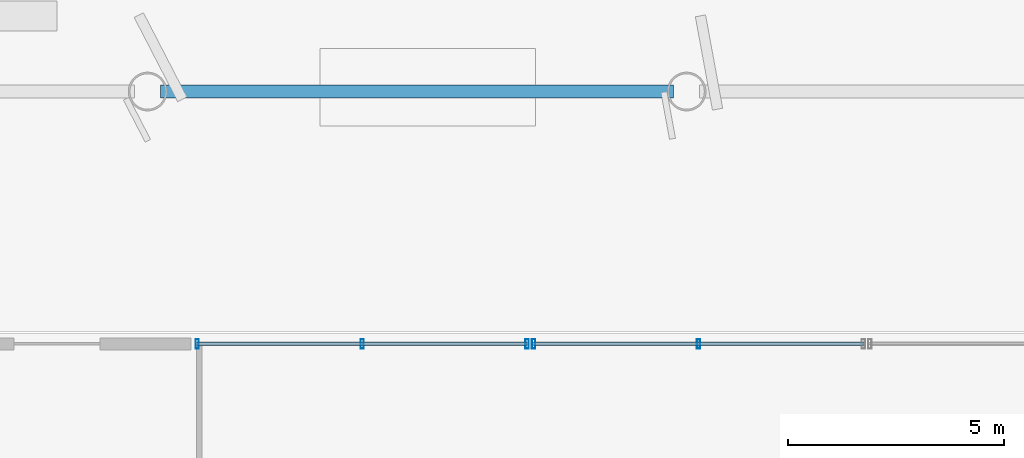
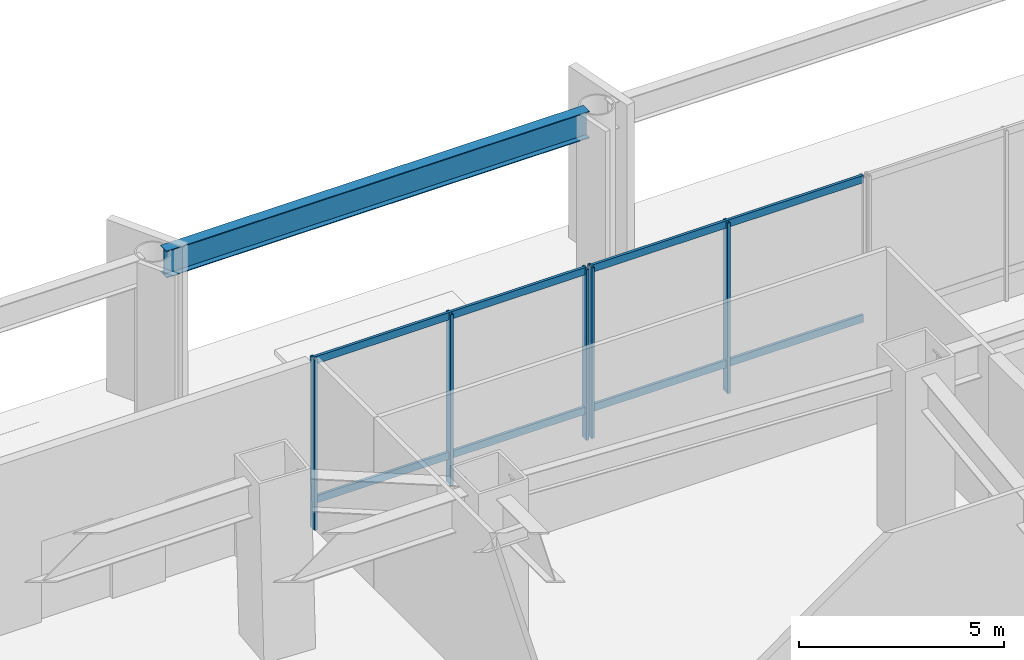
# One storey, part 7 of 19: 9 members, 1 beam, 2 elements without a shape of their own.
"""IFC4 building model written with IfcOpenShell, lengths in metres."""

from ifc_helpers import new_model, si_unit, direction, frame, origin, origin_2d, place, context, subcontext, project, spatial, hollow_rectangle, i_section, extrude, source, transform, mapped, material, material_profile, profile_set, type_object, type_shapes, element, aggregate, save


model = new_model("IFC4")

# Units and contexts
model_context = context("Model", 3, precision=1e-05, world=origin(), true_north=direction((0.0, 1.0)))
body_context = subcontext(model_context, "Body", "Model", "MODEL_VIEW")
ifc_project = project(units=[si_unit("LENGTHUNIT", "METRE"), si_unit("AREAUNIT", "SQUARE_METRE"), si_unit("VOLUMEUNIT", "CUBIC_METRE"), si_unit("PLANEANGLEUNIT", "RADIAN"), si_unit("MASSUNIT", "GRAM", prefix="KILO")], contexts=[model_context])

# Site, building, storey
site_placement = place(None, origin())
site = spatial("IfcSite", under=ifc_project, at=site_placement, CompositionType="ELEMENT")
building_placement = place(site_placement, origin())
building = spatial("IfcBuilding", under=site, at=building_placement, Name="Caelisora Broadcast Tower", CompositionType="ELEMENT")
storey_placement = place(building_placement, origin())
storey = spatial("IfcBuildingStorey", under=building, at=storey_placement, Name="L00", CompositionType="ELEMENT", Elevation=0.0)

# Beam
ifc_material_1 = material(Name="Steel Grade 350 (AS/NZS 3679.2)", Category="steel")
ifc_material_profile_1 = material_profile(ifc_material_1, i_section(OverallWidth=0.300048828125, OverallDepth=0.800048828125, WebThickness=0.013916015625, FlangeThickness=0.02392578125, at=origin_2d()), Name="Steel Grade 350 (AS/NZS 3679.2)")
ifc_profile_set_1 = profile_set([ifc_material_profile_1], Name="Steel Grade 350 (AS/NZS 3679.2)")
beam_type = type_object("IfcBeamType", Name="PG02", PredefinedType="BEAM", material=ifc_profile_set_1)
shared_shape_1 = source(origin(), body_context, "Body", "SweptSolid", [
    extrude(i_section(OverallWidth=0.300048828125, OverallDepth=0.800048828125, WebThickness=0.013916015625, FlangeThickness=0.02392578125, at=origin_2d()), origin(), (0.0, 0.0, 1.0), 11.89990234375),
])
type_shapes(beam_type, [shared_shape_1])
beam_placement = place(storey_placement, frame((50.300048828125, 55.800048828125, 4.679931640625), z_axis=(1.0, 0.0, 0.0), x_axis=(0.0, 1.0, 0.0)))
element("IfcBeam", 1, at=beam_placement, inside=storey, type_object=beam_type, Name="L00 beam PG02", PredefinedType="BEAM", context=body_context, shape_type="MappedRepresentation", body=[
    mapped(shared_shape_1, transform((0.0, 0.0, 0.0), scale=1.0)),
])

# Curtain wall, members
ifc_material_2 = material(Name="Unitised Aluminium and Low-E Glass Curtain Wall", Category="glass")
curtain_wall_type = type_object("IfcCurtainWallType", Name="CW-COL", PredefinedType="NOTDEFINED", material=ifc_material_2)
curtain_wall_1_placement = place(storey_placement, origin())
curtain_wall_1 = element("IfcCurtainWall", 2, at=curtain_wall_1_placement, inside=storey, type_object=curtain_wall_type, Name="L00 curtain wall CW-COL", PredefinedType="NOTDEFINED")
ifc_material_3 = material(Name="Aluminium 6063-T6 Anodised Terracotta Bronze", Category="aluminium")
ifc_material_profile_2 = material_profile(ifc_material_3, hollow_rectangle(XDim=0.074951171875, YDim=0.219970703125, WallThickness=0.00390625, at=origin_2d()), Name="Aluminium 6063-T6 Anodised Terracotta Bronze")
ifc_profile_set_2 = profile_set([ifc_material_profile_2], Name="Aluminium 6063-T6 Anodised Terracotta Bronze")
member_type_1 = type_object("IfcMemberType", Name="CWM-01", PredefinedType="MULLION", material=ifc_profile_set_2)
shared_shape_2 = source(origin(), body_context, "Body", "SweptSolid", [
    extrude(hollow_rectangle(XDim=0.074951171875, YDim=0.219970703125, WallThickness=0.00390625, at=origin_2d()), origin(), (0.0, 0.0, 1.0), 5.080078125),
])
type_shapes(member_type_1, [shared_shape_2])
member_1_placement = place(storey_placement, frame((51.14990234375, 49.949951171875, 0.0), z_axis=(0.0, 0.0, 1.0), x_axis=(1.0, 0.0, 0.0)))
member_1 = element("IfcMember", 3, at=member_1_placement, type_object=member_type_1, Name="L00-CW-COL-4 mullion #0", PredefinedType="MULLION", context=body_context, shape_type="MappedRepresentation", body=[
    mapped(shared_shape_2, transform((0.0, 0.0, 0.0), scale=1.0)),
])
member_2_placement = place(storey_placement, frame((54.97509765625, 49.949951171875, 0.0), z_axis=(0.0, 0.0, 1.0), x_axis=(1.0, 0.0, 0.0)))
member_2 = element("IfcMember", 4, at=member_2_placement, type_object=member_type_1, Name="L00-CW-COL-4 mullion #1", PredefinedType="MULLION", context=body_context, shape_type="MappedRepresentation", body=[
    mapped(shared_shape_2, transform((0.0, 0.0, 0.0), scale=1.0)),
])
member_3_placement = place(storey_placement, frame((58.800048828125, 49.949951171875, 0.0), z_axis=(0.0, 0.0, 1.0), x_axis=(1.0, 0.0, 0.0)))
member_3 = element("IfcMember", 5, at=member_3_placement, type_object=member_type_1, Name="L00-CW-COL-4 mullion #2", PredefinedType="MULLION", context=body_context, shape_type="MappedRepresentation", body=[
    mapped(shared_shape_2, transform((0.0, 0.0, 0.0), scale=1.0)),
])

curtain_wall_2_placement = place(storey_placement, origin())
curtain_wall_2 = element("IfcCurtainWall", 6, at=curtain_wall_2_placement, inside=storey, type_object=curtain_wall_type, Name="L00 curtain wall CW-COL", PredefinedType="NOTDEFINED")
member_4_placement = place(storey_placement, frame((58.949951171875, 49.949951171875, 0.0), z_axis=(0.0, 0.0, 1.0), x_axis=(1.0, 0.0, 0.0)))
member_4 = element("IfcMember", 7, at=member_4_placement, type_object=member_type_1, Name="L00-CW-COL-5 mullion #0", PredefinedType="MULLION", context=body_context, shape_type="MappedRepresentation", body=[
    mapped(shared_shape_2, transform((0.0, 0.0, 0.0), scale=1.0)),
])
member_5_placement = place(storey_placement, frame((62.77490234375, 49.949951171875, 0.0), z_axis=(0.0, 0.0, 1.0), x_axis=(1.0, 0.0, 0.0)))
member_5 = element("IfcMember", 8, at=member_5_placement, type_object=member_type_1, Name="L00-CW-COL-5 mullion #1", PredefinedType="MULLION", context=body_context, shape_type="MappedRepresentation", body=[
    mapped(shared_shape_2, transform((0.0, 0.0, 0.0), scale=1.0)),
])

# Member
ifc_material_profile_3 = material_profile(ifc_material_3, hollow_rectangle(XDim=0.074951171875, YDim=0.219970703125, WallThickness=0.00390625, at=origin_2d()), Name="Aluminium 6063-T6 Anodised Terracotta Bronze")
ifc_profile_set_3 = profile_set([ifc_material_profile_3], Name="Aluminium 6063-T6 Anodised Terracotta Bronze")
member_type_2 = type_object("IfcMemberType", Name="CWT-04", PredefinedType="USERDEFINED", material=ifc_profile_set_3)
shared_shape_3 = source(origin(), body_context, "Body", "SweptSolid", [
    extrude(hollow_rectangle(XDim=0.074951171875, YDim=0.219970703125, WallThickness=0.00390625, at=origin_2d()), origin(), (0.0, 0.0, 1.0), 7.650146484375),
])
type_shapes(member_type_2, [shared_shape_3])
member_6_placement = place(storey_placement, frame((51.14990234375, 49.949951171875, 0.85009765625), z_axis=(1.0, 0.0, 0.0), x_axis=(0.0, 1.0, 0.0)))
member_6 = element("IfcMember", 9, at=member_6_placement, type_object=member_type_2, Name="L00-CW-COL-4 transom #1", ObjectType="TRANSOM", PredefinedType="USERDEFINED", context=body_context, shape_type="MappedRepresentation", body=[
    mapped(shared_shape_3, transform((0.0, 0.0, 0.0), scale=1.0)),
])

member_7_placement = place(storey_placement, frame((51.14990234375, 49.949951171875, 5.0), z_axis=(1.0, 0.0, 0.0), x_axis=(0.0, 1.0, 0.0)))
member_7 = element("IfcMember", 10, at=member_7_placement, type_object=member_type_2, Name="L00-CW-COL-4 transom #2", ObjectType="TRANSOM", PredefinedType="USERDEFINED", context=body_context, shape_type="MappedRepresentation", body=[
    mapped(shared_shape_3, transform((0.0, 0.0, 0.0), scale=1.0)),
])

aggregate(curtain_wall_1, [member_1, member_2, member_3, member_6, member_7])

member_8_placement = place(storey_placement, frame((58.949951171875, 49.949951171875, 0.85009765625), z_axis=(1.0, 0.0, 0.0), x_axis=(0.0, 1.0, 0.0)))
member_8 = element("IfcMember", 11, at=member_8_placement, type_object=member_type_2, Name="L00-CW-COL-5 transom #1", ObjectType="TRANSOM", PredefinedType="USERDEFINED", context=body_context, shape_type="MappedRepresentation", body=[
    mapped(shared_shape_3, transform((0.0, 0.0, 0.0), scale=1.0)),
])

member_9_placement = place(storey_placement, frame((58.949951171875, 49.949951171875, 5.0), z_axis=(1.0, 0.0, 0.0), x_axis=(0.0, 1.0, 0.0)))
member_9 = element("IfcMember", 12, at=member_9_placement, type_object=member_type_2, Name="L00-CW-COL-5 transom #2", ObjectType="TRANSOM", PredefinedType="USERDEFINED", context=body_context, shape_type="MappedRepresentation", body=[
    mapped(shared_shape_3, transform((0.0, 0.0, 0.0), scale=1.0)),
])

aggregate(curtain_wall_2, [member_4, member_5, member_8, member_9])

save(model, "model.ifc")
